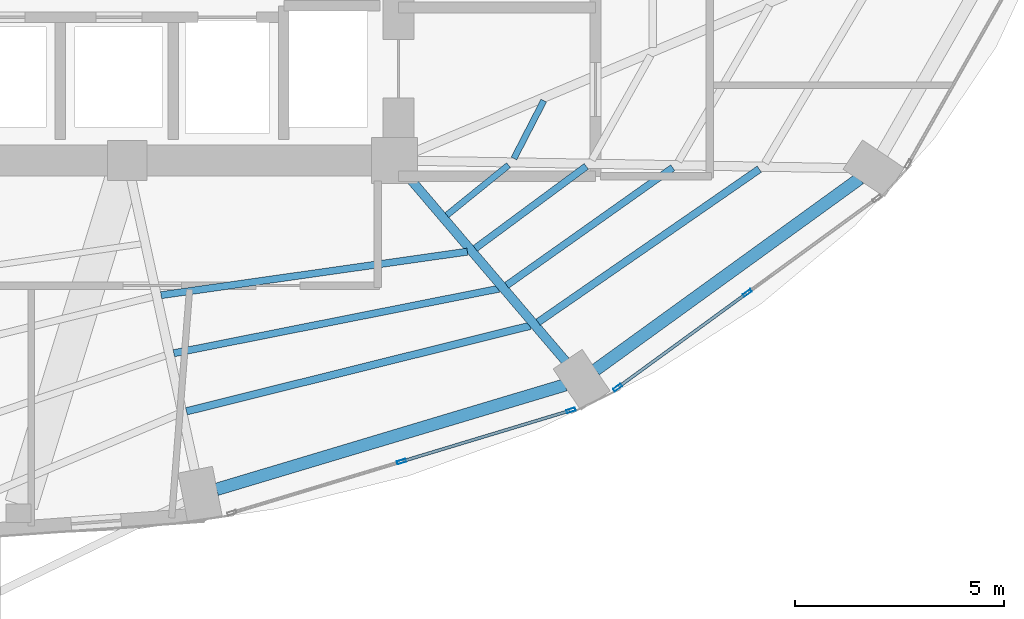
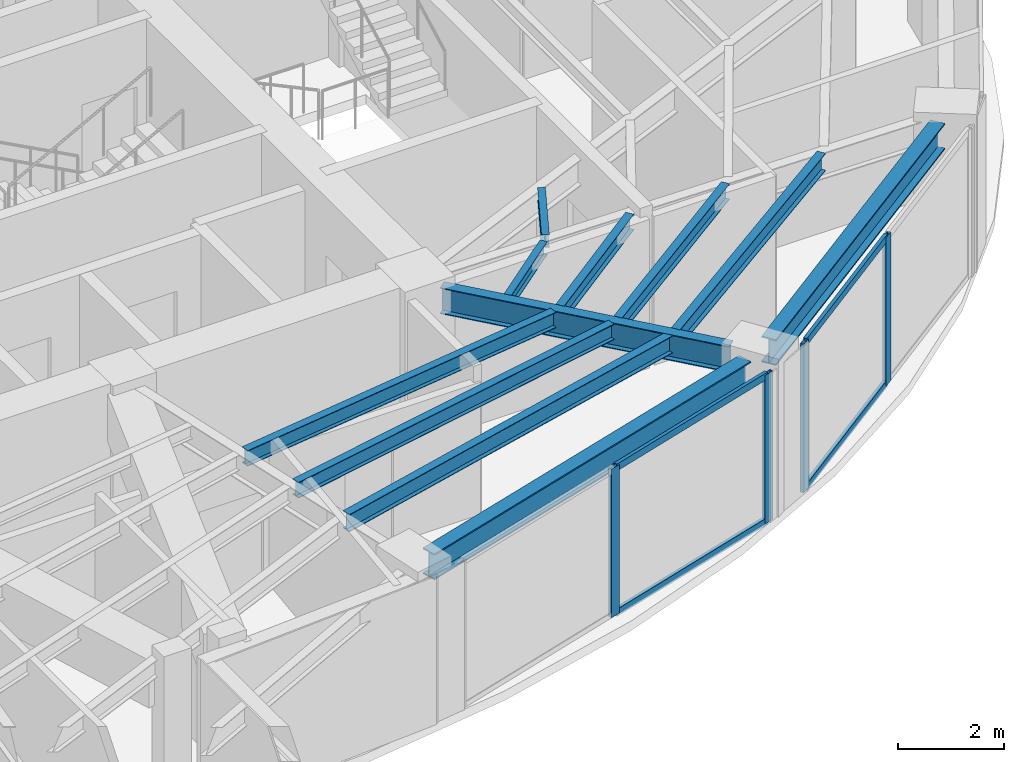
# One storey, part 10 of 23: 11 beams, 8 members, 2 elements without a shape of their own.
"""IFC4 building model written with IfcOpenShell, lengths in metres."""

from ifc_helpers import new_model, si_unit, direction, frame, origin, origin_2d, place, context, subcontext, project, spatial, hollow_rectangle, i_section, extrude, material, layer, layer_set, material_profile, profile_set, type_object, element, aggregate, save


model = new_model("IFC4")

# Units and contexts
model_context = context("Model", 3, precision=1e-05, world=origin(), true_north=direction((0.0, 1.0)))
body_context = subcontext(model_context, "Body", "Model", "MODEL_VIEW")
ifc_project = project(units=[si_unit("LENGTHUNIT", "METRE"), si_unit("AREAUNIT", "SQUARE_METRE"), si_unit("VOLUMEUNIT", "CUBIC_METRE"), si_unit("PLANEANGLEUNIT", "RADIAN"), si_unit("MASSUNIT", "GRAM", prefix="KILO")], contexts=[model_context])

# Site, building, storey
site_placement = place(None, origin())
site = spatial("IfcSite", under=ifc_project, at=site_placement, CompositionType="ELEMENT")
building_placement = place(site_placement, origin())
building = spatial("IfcBuilding", under=site, at=building_placement, Name="Lazwardi Medical Tower", CompositionType="ELEMENT")
storey_placement = place(building_placement, frame((0.0, 0.0, 89.0400390625)))
storey = spatial("IfcBuildingStorey", under=building, at=storey_placement, Name="L22", CompositionType="ELEMENT", Elevation=89.0400390625)

# Beams
ifc_material_1 = material(Name="Steel S355", Category="steel")
ifc_material_profile_1 = material_profile(ifc_material_1, i_section(OverallWidth=0.300048828125, OverallDepth=0.60009765625, WebThickness=0.015380859375, FlangeThickness=0.030029296875, at=origin_2d()), Name="HEB 600")
ifc_profile_set_1 = profile_set([ifc_material_profile_1], Name="Steel S355")
beam_type_1 = type_object("IfcBeamType", Name="BM-RB-Z2", PredefinedType="BEAM", material=ifc_profile_set_1)
beam_1_placement = place(storey_placement, frame((41.338134765625, 12.5205078125, 3.1279296875), z_axis=(0.957879438442, 0.287170648587, 0.0), x_axis=(-0.287170648587, 0.957879438442, 0.0)))
element("IfcBeam", 1, at=beam_1_placement, inside=storey, type_object=beam_type_1, Name="Ring beam RB-03 B01 L22", PredefinedType="BEAM", context=body_context, shape_type="SweptSolid", body=[
    extrude(i_section(OverallWidth=0.300048828125, OverallDepth=0.60009765625, WebThickness=0.015380859375, FlangeThickness=0.030029296875, at=origin_2d()), origin(), (0.0, 0.0, 1.0), 8.719970703125),
])
beam_2_placement = place(storey_placement, frame((50.415771484375, 15.3828125, 3.1279296875), z_axis=(0.810041907649, 0.586371987609, 0.0), x_axis=(-0.586371987609, 0.810041907649, 0.0)))
element("IfcBeam", 2, at=beam_2_placement, inside=storey, type_object=beam_type_1, Name="Ring beam RB-03 B02 L22", PredefinedType="BEAM", context=body_context, shape_type="SweptSolid", body=[
    extrude(i_section(OverallWidth=0.300048828125, OverallDepth=0.60009765625, WebThickness=0.015380859375, FlangeThickness=0.030029296875, at=origin_2d()), origin(), (0.0, 0.0, 1.0), 7.814208984375),
])
ifc_material_profile_2 = material_profile(ifc_material_1, i_section(OverallWidth=0.219970703125, OverallDepth=0.60009765625, WebThickness=0.011962890625, FlangeThickness=0.01904296875, at=origin_2d()), Name="IPE 600")
ifc_profile_set_2 = profile_set([ifc_material_profile_2], Name="Steel S355")
beam_type_2 = type_object("IfcBeamType", Name="BM-RG-W1", PredefinedType="BEAM", material=ifc_profile_set_2)
beam_3_placement = place(storey_placement, frame((49.707275390625, 15.583740234375, 3.1279296875), z_axis=(-0.648870567436, 0.760898801889, 0.0), x_axis=(-0.760898801889, -0.648870567436, 0.0)))
element("IfcBeam", 3, at=beam_3_placement, inside=storey, type_object=beam_type_2, Name="Radial girder RG-02 R02 L22", PredefinedType="BEAM", context=body_context, shape_type="SweptSolid", body=[
    extrude(i_section(OverallWidth=0.219970703125, OverallDepth=0.60009765625, WebThickness=0.011962890625, FlangeThickness=0.01904296875, at=origin_2d()), origin(), (0.0, 0.0, 1.0), 5.794677734375),
])
ifc_material_profile_3 = material_profile(ifc_material_1, i_section(OverallWidth=0.179931640625, OverallDepth=0.39990234375, WebThickness=0.008544921875, FlangeThickness=0.013427734375, at=origin_2d()), Name="IPE 400")
ifc_profile_set_3 = profile_set([ifc_material_profile_3], Name="Steel S355")
beam_type_3 = type_object("IfcBeamType", Name="BM-SJ-01", PredefinedType="JOIST", material=ifc_profile_set_3)
beam_4_placement = place(storey_placement, frame((40.618896484375, 14.390869140625, 3.22802734375), z_axis=(0.970400881943, 0.241499748081, 0.0), x_axis=(-0.241499748081, 0.970400881943, 0.0)))
element("IfcBeam", 4, at=beam_4_placement, inside=storey, type_object=beam_type_3, Name="Secondary joist SJ-01 R1 B01 L22", PredefinedType="JOIST", context=body_context, shape_type="SweptSolid", body=[
    extrude(i_section(OverallWidth=0.179931640625, OverallDepth=0.39990234375, WebThickness=0.008544921875, FlangeThickness=0.013427734375, at=origin_2d()), origin(), (0.0, 0.0, 1.0), 8.48583984375),
])
beam_5_placement = place(storey_placement, frame((49.04150390625, 16.525390625, 3.22802734375), z_axis=(0.822376339068, 0.568943896128, 0.0), x_axis=(-0.568943896128, 0.822376339068, 0.0)))
element("IfcBeam", 5, at=beam_5_placement, inside=storey, type_object=beam_type_3, Name="Secondary joist SJ-01 R1 B02 L22", PredefinedType="JOIST", context=body_context, shape_type="SweptSolid", body=[
    extrude(i_section(OverallWidth=0.179931640625, OverallDepth=0.39990234375, WebThickness=0.008544921875, FlangeThickness=0.013427734375, at=origin_2d()), origin(), (0.0, 0.0, 1.0), 6.44189453125),
])
ifc_material_profile_4 = material_profile(ifc_material_1, i_section(OverallWidth=0.169921875, OverallDepth=0.360107421875, WebThickness=0.008056640625, FlangeThickness=0.0126953125, at=origin_2d()), Name="IPE 360")
ifc_profile_set_4 = profile_set([ifc_material_profile_4], Name="Steel S355")
beam_type_4 = type_object("IfcBeamType", Name="BM-SJ-02", PredefinedType="JOIST", material=ifc_profile_set_4)
beam_6_placement = place(storey_placement, frame((40.315185546875, 15.7822265625, 3.248046875), z_axis=(0.980878853282, 0.194619308352, 0.0), x_axis=(-0.194619308352, 0.980878853282, 0.0)))
element("IfcBeam", 6, at=beam_6_placement, inside=storey, type_object=beam_type_4, Name="Secondary joist SJ-02 R2 B01 L22", PredefinedType="JOIST", context=body_context, shape_type="SweptSolid", body=[
    extrude(i_section(OverallWidth=0.169921875, OverallDepth=0.360107421875, WebThickness=0.008056640625, FlangeThickness=0.0126953125, at=origin_2d()), origin(), (0.0, 0.0, 1.0), 7.93701171875),
])
beam_7_placement = place(storey_placement, frame((48.2890625, 17.408203125, 3.248046875), z_axis=(0.816156371539, 0.577831097464, 0.0), x_axis=(-0.577831097464, 0.816156371539, 0.0)))
element("IfcBeam", 7, at=beam_7_placement, inside=storey, type_object=beam_type_4, Name="Secondary joist SJ-02 R2 B02 L22", PredefinedType="JOIST", context=body_context, shape_type="SweptSolid", body=[
    extrude(i_section(OverallWidth=0.169921875, OverallDepth=0.360107421875, WebThickness=0.008056640625, FlangeThickness=0.0126953125, at=origin_2d()), origin(), (0.0, 0.0, 1.0), 4.8740234375),
])
beam_8_placement = place(storey_placement, frame((40.011474609375, 17.1728515625, 3.248046875), z_axis=(0.990067108571, 0.140595592128, 0.0), x_axis=(-0.140595592128, 0.990067108571, 0.0)))
element("IfcBeam", 8, at=beam_8_placement, inside=storey, type_object=beam_type_4, Name="Secondary joist SJ-02 R3 B01 L22", PredefinedType="JOIST", context=body_context, shape_type="SweptSolid", body=[
    extrude(i_section(OverallWidth=0.169921875, OverallDepth=0.360107421875, WebThickness=0.008056640625, FlangeThickness=0.0126953125, at=origin_2d()), origin(), (0.0, 0.0, 1.0), 7.409423828125),
])
beam_9_placement = place(storey_placement, frame((47.53564453125, 18.291748046875, 3.248046875), z_axis=(0.804125525058, 0.594459536008, 0.0), x_axis=(-0.594459536008, 0.804125525058, 0.0)))
element("IfcBeam", 9, at=beam_9_placement, inside=storey, type_object=beam_type_4, Name="Secondary joist SJ-02 R3 B02 L22", PredefinedType="JOIST", context=body_context, shape_type="SweptSolid", body=[
    extrude(i_section(OverallWidth=0.169921875, OverallDepth=0.360107421875, WebThickness=0.008056640625, FlangeThickness=0.0126953125, at=origin_2d()), origin(), (0.0, 0.0, 1.0), 3.30810546875),
])
ifc_material_profile_5 = material_profile(ifc_material_1, i_section(OverallWidth=0.14990234375, OverallDepth=0.300048828125, WebThickness=0.007080078125, FlangeThickness=0.0107421875, at=origin_2d()), Name="IPE 300")
ifc_profile_set_5 = profile_set([ifc_material_profile_5], Name="Steel S355")
beam_type_5 = type_object("IfcBeamType", Name="BM-SJ-03", PredefinedType="JOIST", material=ifc_profile_set_5)
beam_10_placement = place(storey_placement, frame((46.85595703125, 19.089111328125, 3.278076171875), z_axis=(0.77695773322, 0.629552762515, 0.0), x_axis=(-0.629552762515, 0.77695773322, 0.0)))
element("IfcBeam", 10, at=beam_10_placement, inside=storey, type_object=beam_type_5, Name="Secondary joist SJ-03 R4 B02 L22", PredefinedType="JOIST", context=body_context, shape_type="SweptSolid", body=[
    extrude(i_section(OverallWidth=0.14990234375, OverallDepth=0.300048828125, WebThickness=0.007080078125, FlangeThickness=0.0107421875, at=origin_2d()), origin(), (0.0, 0.0, 1.0), 1.9013671875),
])
beam_11_placement = place(storey_placement, frame((48.462890625, 20.445556640625, 3.278076171875), z_axis=(0.457956589674, 0.888974556427, 0.0), x_axis=(-0.888974556427, 0.457956589674, 0.0)))
element("IfcBeam", 11, at=beam_11_placement, inside=storey, type_object=beam_type_5, Name="Secondary joist SJ-03 R4 B03 L22", PredefinedType="JOIST", context=body_context, shape_type="SweptSolid", body=[
    extrude(i_section(OverallWidth=0.14990234375, OverallDepth=0.300048828125, WebThickness=0.007080078125, FlangeThickness=0.0107421875, at=origin_2d()), origin(), (0.0, 0.0, 1.0), 1.558837890625),
])

# Curtain wall, members
ifc_material_2 = material(Name="Anodised bronze aluminium and solar control glazing", Category="aluminium")
ifc_layer = layer(ifc_material_2, 0.195068359375)
ifc_layer_set = layer_set([ifc_layer], Name="Anodised bronze aluminium and solar control glazing")
curtain_wall_type = type_object("IfcCurtainWallType", Name="CW-SYS-03", PredefinedType="NOTDEFINED", material=ifc_layer_set)
curtain_wall_1_placement = place(storey_placement, origin())
curtain_wall_1 = element("IfcCurtainWall", 12, at=curtain_wall_1_placement, inside=storey, type_object=curtain_wall_type, Name="L22 Unitised bronze curtain wall CW-03", PredefinedType="NOTDEFINED")
ifc_material_3 = material(Name="Anodised bronze aluminium", Category="aluminium")
ifc_material_profile_6 = material_profile(ifc_material_3, hollow_rectangle(XDim=0.074951171875, YDim=0.219970703125, WallThickness=0.00390625, at=origin_2d()), Name="ALU-MULLION 220x75x4")
ifc_profile_set_6 = profile_set([ifc_material_profile_6], Name="Anodised bronze aluminium")
member_type_1 = type_object("IfcMemberType", Name="CW-MUL-01", PredefinedType="MULLION", material=ifc_profile_set_6)
member_1_placement = place(storey_placement, frame((45.769287109375, 13.18701171875, 0.0), z_axis=(0.0, 0.0, 1.0), x_axis=(-0.28937381157, 0.957216170558, 0.0)))
member_1 = element("IfcMember", 13, at=member_1_placement, type_object=member_type_1, Name="CW-03 mullion 2", PredefinedType="MULLION", context=body_context, shape_type="SweptSolid", body=[
    extrude(hollow_rectangle(XDim=0.074951171875, YDim=0.219970703125, WallThickness=0.00390625, at=origin_2d()), origin(), (0.0, 0.0, 1.0), 3.427978515625),
])
member_2_placement = place(storey_placement, frame((49.828369140625, 14.4140625, 0.0), z_axis=(0.0, 0.0, 1.0), x_axis=(-0.28937381157, 0.957216170558, 0.0)))
member_2 = element("IfcMember", 14, at=member_2_placement, type_object=member_type_1, Name="CW-03 mullion 3", PredefinedType="MULLION", context=body_context, shape_type="SweptSolid", body=[
    extrude(hollow_rectangle(XDim=0.074951171875, YDim=0.219970703125, WallThickness=0.00390625, at=origin_2d()), origin(), (0.0, 0.0, 1.0), 3.427978515625),
])

curtain_wall_2_placement = place(storey_placement, origin())
curtain_wall_2 = element("IfcCurtainWall", 15, at=curtain_wall_2_placement, inside=storey, type_object=curtain_wall_type, Name="L22 Unitised bronze curtain wall CW-03", PredefinedType="NOTDEFINED")
member_3_placement = place(storey_placement, frame((50.947265625, 14.96044921875, 0.0), z_axis=(0.0, 0.0, 1.0), x_axis=(-0.589530882802, 0.807745837639, 0.0)))
member_3 = element("IfcMember", 16, at=member_3_placement, type_object=member_type_1, Name="CW-03 mullion 1", PredefinedType="MULLION", context=body_context, shape_type="SweptSolid", body=[
    extrude(hollow_rectangle(XDim=0.074951171875, YDim=0.219970703125, WallThickness=0.00390625, at=origin_2d()), origin(), (0.0, 0.0, 1.0), 3.427978515625),
])
member_4_placement = place(storey_placement, frame((54.051025390625, 17.225830078125, 0.0), z_axis=(0.0, 0.0, 1.0), x_axis=(-0.589530882802, 0.807745837639, 0.0)))
member_4 = element("IfcMember", 17, at=member_4_placement, type_object=member_type_1, Name="CW-03 mullion 2", PredefinedType="MULLION", context=body_context, shape_type="SweptSolid", body=[
    extrude(hollow_rectangle(XDim=0.074951171875, YDim=0.219970703125, WallThickness=0.00390625, at=origin_2d()), origin(), (0.0, 0.0, 1.0), 3.427978515625),
])

# Member
ifc_material_profile_7 = material_profile(ifc_material_3, hollow_rectangle(XDim=0.074951171875, YDim=0.159912109375, WallThickness=0.00390625, at=origin_2d()), Name="ALU-TRANSOM 160x75x4")
ifc_profile_set_7 = profile_set([ifc_material_profile_7], Name="Anodised bronze aluminium")
member_type_2 = type_object("IfcMemberType", Name="CW-TRN-01", PredefinedType="USERDEFINED", material=ifc_profile_set_7)
member_5_placement = place(storey_placement, frame((45.80517578125, 13.19775390625, 0.037353515625), z_axis=(0.957220865985, 0.289358279168, 0.0), x_axis=(-0.289358279168, 0.957220865985, 0.0)))
member_5 = element("IfcMember", 18, at=member_5_placement, type_object=member_type_2, Name="CW-03 transom 2.1", ObjectType="TRANSOM", PredefinedType="USERDEFINED", context=body_context, shape_type="SweptSolid", body=[
    extrude(hollow_rectangle(XDim=0.074951171875, YDim=0.159912109375, WallThickness=0.00390625, at=origin_2d()), origin(), (0.0, 0.0, 1.0), 4.16552734375),
])

member_6_placement = place(storey_placement, frame((45.80517578125, 13.19775390625, 3.390380859375), z_axis=(0.957220865985, 0.289358279168, 0.0), x_axis=(-0.289358279168, 0.957220865985, 0.0)))
member_6 = element("IfcMember", 19, at=member_6_placement, type_object=member_type_2, Name="CW-03 transom 2.2", ObjectType="TRANSOM", PredefinedType="USERDEFINED", context=body_context, shape_type="SweptSolid", body=[
    extrude(hollow_rectangle(XDim=0.074951171875, YDim=0.159912109375, WallThickness=0.00390625, at=origin_2d()), origin(), (0.0, 0.0, 1.0), 4.16552734375),
])

aggregate(curtain_wall_1, [member_1, member_2, member_5, member_6])

member_7_placement = place(storey_placement, frame((50.9775390625, 14.982421875, 0.037353515625), z_axis=(0.807731734271, 0.589550206049, 0.0), x_axis=(-0.589550206049, 0.807731734271, 0.0)))
member_7 = element("IfcMember", 20, at=member_7_placement, type_object=member_type_2, Name="CW-03 transom 1.1", ObjectType="TRANSOM", PredefinedType="USERDEFINED", context=body_context, shape_type="SweptSolid", body=[
    extrude(hollow_rectangle(XDim=0.074951171875, YDim=0.159912109375, WallThickness=0.00390625, at=origin_2d()), origin(), (0.0, 0.0, 1.0), 3.767578125),
])

member_8_placement = place(storey_placement, frame((50.9775390625, 14.982421875, 3.390380859375), z_axis=(0.807731734271, 0.589550206049, 0.0), x_axis=(-0.589550206049, 0.807731734271, 0.0)))
member_8 = element("IfcMember", 21, at=member_8_placement, type_object=member_type_2, Name="CW-03 transom 1.2", ObjectType="TRANSOM", PredefinedType="USERDEFINED", context=body_context, shape_type="SweptSolid", body=[
    extrude(hollow_rectangle(XDim=0.074951171875, YDim=0.159912109375, WallThickness=0.00390625, at=origin_2d()), origin(), (0.0, 0.0, 1.0), 3.767578125),
])

aggregate(curtain_wall_2, [member_3, member_4, member_7, member_8])

save(model, "model.ifc")
